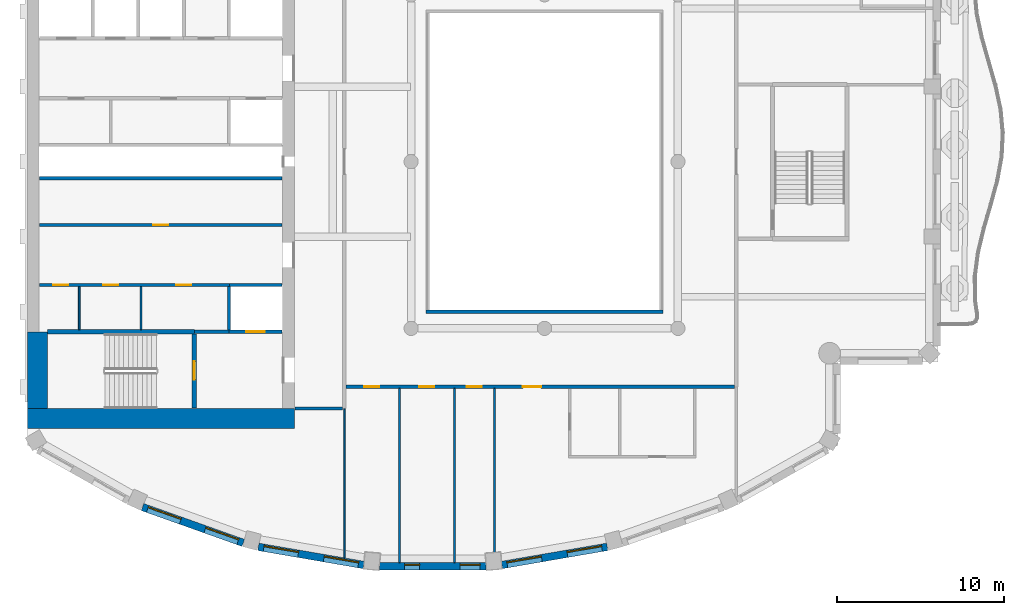
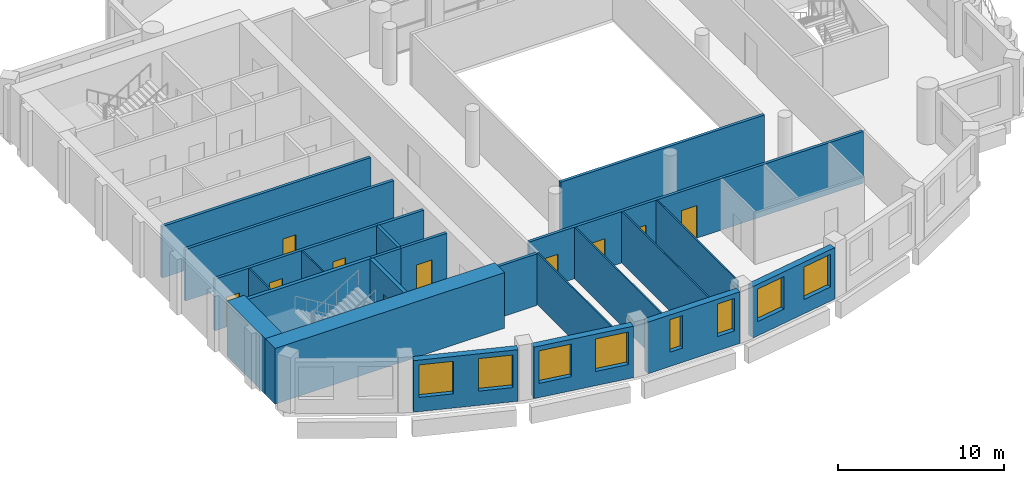
# One storey, part 4 of 14: 24 walls, 10 doors, 8 windows, 18 openings.
"""IFC4 building model written with IfcOpenShell, lengths in metres."""

from ifc_helpers import new_model, si_unit, direction, frame, frame_2d, origin, place, context, subcontext, project, spatial, rectangle, extrude, material, layer, layer_set, type_object, element, fill, save


model = new_model("IFC4")

# Units and contexts
model_context = context("Model", 3, precision=1e-05, world=origin(), true_north=direction((0.0, 1.0)))
body_context = subcontext(model_context, "Body", "Model", "MODEL_VIEW")
ifc_project = project(units=[si_unit("LENGTHUNIT", "METRE"), si_unit("AREAUNIT", "SQUARE_METRE"), si_unit("VOLUMEUNIT", "CUBIC_METRE"), si_unit("PLANEANGLEUNIT", "RADIAN"), si_unit("MASSUNIT", "GRAM", prefix="KILO")], contexts=[model_context])

# Site, building, storey
site_placement = place(None, origin())
site = spatial("IfcSite", under=ifc_project, at=site_placement, CompositionType="ELEMENT")
building_placement = place(site_placement, origin())
building = spatial("IfcBuilding", under=site, at=building_placement, Name="Cypress Arch Tower", CompositionType="ELEMENT")
storey_placement = place(building_placement, frame((0.0, 0.0, 255.699951171875)))
storey = spatial("IfcBuildingStorey", under=building, at=storey_placement, Name="L57", CompositionType="ELEMENT", Elevation=255.699951171875)

# Wall, openings, windows
ifc_material_1 = material(Name="Brick (red buff blend)", Category="masonry")
ifc_layer_1 = layer(ifc_material_1, 0.449951171875)
ifc_layer_set_1 = layer_set([ifc_layer_1], Name="Brick pier and spandrel wall BW450")
wall_type_1 = type_object("IfcWallType", Name="Brick pier and spandrel wall BW450", PredefinedType="SOLIDWALL", material=ifc_layer_set_1)
wall_1_placement = place(storey_placement, frame((-23.10498046875, -20.70947265625, 0.0), z_axis=(0.0, 0.0, 1.0), x_axis=(0.942104058931, -0.335320655711, 0.0)))
wall_1 = element("IfcWall", 1, at=wall_1_placement, inside=storey, type_object=wall_type_1, Name="Brick wall L57 C09.0", PredefinedType="SOLIDWALL", context=body_context, shape_type="SweptSolid", body=[
    extrude(rectangle(XDim=6.411376953125, YDim=0.449951171875, at=frame_2d((3.20556640625, 0.0))), origin(), (0.0, 0.0, 1.0), 3.800048828125),
])
opening_1_placement = place(wall_1_placement, frame((0.3271484375, 0.0, 1.050048828125)))
opening_1 = element("IfcOpeningElement", 2, at=opening_1_placement, cuts=wall_1, Name="Opening W210O", PredefinedType="OPENING", context=body_context, shape_type="SweptSolid", body=[
    extrude(rectangle(XDim=2.10009765625, YDim=2.39990234375, at=frame_2d((1.050048828125, 1.199951171875))), frame((0.0, 0.23486328125, 0.0), z_axis=(0.0, -1.0, 0.0), x_axis=(1.0, 0.0, 0.0)), (0.0, 0.0, 1.0), 0.469970703125),
])
opening_2_placement = place(wall_1_placement, frame((3.984619140625, 0.0, 1.050048828125)))
opening_2 = element("IfcOpeningElement", 3, at=opening_2_placement, cuts=wall_1, Name="Opening W210O", PredefinedType="OPENING", context=body_context, shape_type="SweptSolid", body=[
    extrude(rectangle(XDim=2.10009765625, YDim=2.39990234375, at=frame_2d((1.050048828125, 1.199951171875))), frame((0.0, 0.23486328125, 0.0), z_axis=(0.0, -1.0, 0.0), x_axis=(1.0, 0.0, 0.0)), (0.0, 0.0, 1.0), 0.469970703125),
])
ifc_material_2 = material(Name="Anodised aluminium, bronze finish, clear low-emissivity double glazing", Category="aluminium")
window_type_1 = type_object("IfcWindowType", Name="Window Office 2100x2400", PartitioningType="SINGLE_PANEL", PredefinedType="WINDOW", material=ifc_material_2)
window_1_placement = place(opening_1_placement, origin())
window_1 = element("IfcWindow", 4, at=window_1_placement, inside=storey, type_object=window_type_1, Name="Window L57 C09.0.1", OverallHeight=2.39990234375, OverallWidth=2.10009765625, PartitioningType="SINGLE_PANEL", PredefinedType="WINDOW", context=body_context, shape_type="SweptSolid", body=[
    extrude(rectangle(XDim=2.10009765625, YDim=2.39990234375, at=frame_2d((1.050048828125, 1.199951171875))), frame((0.0, 0.135009765625, 0.0), z_axis=(0.0, -1.0, 0.0), x_axis=(1.0, 0.0, 0.0)), (0.0, 0.0, 1.0), 0.06005859375),
])
fill(opening_1, window_1)
window_2_placement = place(opening_2_placement, origin())
window_2 = element("IfcWindow", 5, at=window_2_placement, inside=storey, type_object=window_type_1, Name="Window L57 C09.0.2", OverallHeight=2.39990234375, OverallWidth=2.10009765625, PartitioningType="SINGLE_PANEL", PredefinedType="WINDOW", context=body_context, shape_type="SweptSolid", body=[
    extrude(rectangle(XDim=2.10009765625, YDim=2.39990234375, at=frame_2d((1.050048828125, 1.199951171875))), frame((0.0, 0.135009765625, 0.0), z_axis=(0.0, -1.0, 0.0), x_axis=(1.0, 0.0, 0.0)), (0.0, 0.0, 1.0), 0.06005859375),
])
fill(opening_2, window_2)

wall_2_placement = place(storey_placement, frame((-16.15673828125, -23.09716796875, 0.0), z_axis=(0.0, 0.0, 1.0), x_axis=(0.985502073964, -0.169663379113, 0.0)))
wall_2 = element("IfcWall", 6, at=wall_2_placement, inside=storey, type_object=wall_type_1, Name="Brick wall L57 C10.0", PredefinedType="SOLIDWALL", context=body_context, shape_type="SweptSolid", body=[
    extrude(rectangle(XDim=6.412109375, YDim=0.449951171875, at=frame_2d((3.2060546875, 0.0))), origin(), (0.0, 0.0, 1.0), 3.800048828125),
])
opening_3_placement = place(wall_2_placement, frame((0.3271484375, 0.0, 1.050048828125)))
opening_3 = element("IfcOpeningElement", 7, at=opening_3_placement, cuts=wall_2, Name="Opening W210O", PredefinedType="OPENING", context=body_context, shape_type="SweptSolid", body=[
    extrude(rectangle(XDim=2.10009765625, YDim=2.39990234375, at=frame_2d((1.050048828125, 1.199951171875))), frame((0.0, 0.23486328125, 0.0), z_axis=(0.0, -1.0, 0.0), x_axis=(1.0, 0.0, 0.0)), (0.0, 0.0, 1.0), 0.469970703125),
])
opening_4_placement = place(wall_2_placement, frame((3.98486328125, 0.0, 1.050048828125)))
opening_4 = element("IfcOpeningElement", 8, at=opening_4_placement, cuts=wall_2, Name="Opening W210O", PredefinedType="OPENING", context=body_context, shape_type="SweptSolid", body=[
    extrude(rectangle(XDim=2.10009765625, YDim=2.39990234375, at=frame_2d((1.050048828125, 1.199951171875))), frame((0.0, 0.23486328125, 0.0), z_axis=(0.0, -1.0, 0.0), x_axis=(1.0, 0.0, 0.0)), (0.0, 0.0, 1.0), 0.469970703125),
])
window_3_placement = place(opening_3_placement, origin())
window_3 = element("IfcWindow", 9, at=window_3_placement, inside=storey, type_object=window_type_1, Name="Window L57 C10.0.1", OverallHeight=2.39990234375, OverallWidth=2.10009765625, PartitioningType="SINGLE_PANEL", PredefinedType="WINDOW", context=body_context, shape_type="SweptSolid", body=[
    extrude(rectangle(XDim=2.10009765625, YDim=2.39990234375, at=frame_2d((1.050048828125, 1.199951171875))), frame((0.0, 0.135009765625, 0.0), z_axis=(0.0, -1.0, 0.0), x_axis=(1.0, 0.0, 0.0)), (0.0, 0.0, 1.0), 0.06005859375),
])
fill(opening_3, window_3)
window_4_placement = place(opening_4_placement, origin())
window_4 = element("IfcWindow", 10, at=window_4_placement, inside=storey, type_object=window_type_1, Name="Window L57 C10.0.2", OverallHeight=2.39990234375, OverallWidth=2.10009765625, PartitioningType="SINGLE_PANEL", PredefinedType="WINDOW", context=body_context, shape_type="SweptSolid", body=[
    extrude(rectangle(XDim=2.10009765625, YDim=2.39990234375, at=frame_2d((1.050048828125, 1.199951171875))), frame((0.0, 0.135009765625, 0.0), z_axis=(0.0, -1.0, 0.0), x_axis=(1.0, 0.0, 0.0)), (0.0, 0.0, 1.0), 0.06005859375),
])
fill(opening_4, window_4)

wall_3_placement = place(storey_placement, frame((-8.90283203125, -24.264892578125, 0.0), z_axis=(0.0, 0.0, 1.0), x_axis=(1.0, 0.0, 0.0)))
wall_3 = element("IfcWall", 11, at=wall_3_placement, inside=storey, type_object=wall_type_1, Name="Brick wall L57 C11.0", PredefinedType="SOLIDWALL", context=body_context, shape_type="SweptSolid", body=[
    extrude(rectangle(XDim=6.405517578125, YDim=0.449951171875, at=frame_2d((3.20263671875, 0.0))), origin(), (0.0, 0.0, 1.0), 3.800048828125),
])
opening_5_placement = place(wall_3_placement, frame((1.51416015625, 0.0, 1.050048828125)))
opening_5 = element("IfcOpeningElement", 12, at=opening_5_placement, cuts=wall_3, Name="Opening W090O", PredefinedType="OPENING", context=body_context, shape_type="SweptSolid", body=[
    extrude(rectangle(XDim=0.89990234375, YDim=2.39990234375, at=frame_2d((0.449951171875, 1.199951171875))), frame((0.0, 0.23486328125, 0.0), z_axis=(0.0, -1.0, 0.0), x_axis=(1.0, 0.0, 0.0)), (0.0, 0.0, 1.0), 0.469970703125),
])
opening_6_placement = place(wall_3_placement, frame((4.84130859375, 0.0, 1.050048828125)))
opening_6 = element("IfcOpeningElement", 13, at=opening_6_placement, cuts=wall_3, Name="Opening W120O", PredefinedType="OPENING", context=body_context, shape_type="SweptSolid", body=[
    extrude(rectangle(XDim=1.199951171875, YDim=2.39990234375, at=frame_2d((0.60009765625, 1.199951171875))), frame((0.0, 0.23486328125, 0.0), z_axis=(0.0, -1.0, 0.0), x_axis=(1.0, 0.0, 0.0)), (0.0, 0.0, 1.0), 0.469970703125),
])
ifc_material_3 = material(Name="Anodised aluminium, bronze finish, clear low-emissivity double glazing", Category="aluminium")
window_type_2 = type_object("IfcWindowType", Name="Window Office 1200x2400", PartitioningType="SINGLE_PANEL", PredefinedType="WINDOW", material=ifc_material_3)
window_5_placement = place(opening_6_placement, origin())
window_5 = element("IfcWindow", 14, at=window_5_placement, inside=storey, type_object=window_type_2, Name="Window L57 C11.0.2", OverallHeight=2.39990234375, OverallWidth=1.199951171875, PartitioningType="SINGLE_PANEL", PredefinedType="WINDOW", context=body_context, shape_type="SweptSolid", body=[
    extrude(rectangle(XDim=1.199951171875, YDim=2.39990234375, at=frame_2d((0.60009765625, 1.199951171875))), frame((0.0, 0.135009765625, 0.0), z_axis=(0.0, -1.0, 0.0), x_axis=(1.0, 0.0, 0.0)), (0.0, 0.0, 1.0), 0.06005859375),
])
fill(opening_6, window_5)
ifc_material_4 = material(Name="Anodised aluminium, bronze finish, clear low-emissivity double glazing", Category="aluminium")
window_type_3 = type_object("IfcWindowType", Name="Window Office 900x2400", PartitioningType="SINGLE_PANEL", PredefinedType="WINDOW", material=ifc_material_4)
window_6_placement = place(opening_5_placement, origin())
window_6 = element("IfcWindow", 15, at=window_6_placement, inside=storey, type_object=window_type_3, Name="Window L57 C11.0.1", OverallHeight=2.39990234375, OverallWidth=0.89990234375, PartitioningType="SINGLE_PANEL", PredefinedType="WINDOW", context=body_context, shape_type="SweptSolid", body=[
    extrude(rectangle(XDim=0.89990234375, YDim=2.39990234375, at=frame_2d((0.449951171875, 1.199951171875))), frame((0.0, 0.135009765625, 0.0), z_axis=(0.0, -1.0, 0.0), x_axis=(1.0, 0.0, 0.0)), (0.0, 0.0, 1.0), 0.06005859375),
])
fill(opening_5, window_6)

wall_4_placement = place(storey_placement, frame((-1.562255859375, -24.18505859375, 0.0), z_axis=(0.0, 0.0, 1.0), x_axis=(0.985502073964, 0.169663379113, 0.0)))
wall_4 = element("IfcWall", 16, at=wall_4_placement, inside=storey, type_object=wall_type_1, Name="Brick wall L57 C12.0", PredefinedType="SOLIDWALL", context=body_context, shape_type="SweptSolid", body=[
    extrude(rectangle(XDim=6.412109375, YDim=0.449951171875, at=frame_2d((3.2060546875, 0.0))), origin(), (0.0, 0.0, 1.0), 3.800048828125),
])
opening_7_placement = place(wall_4_placement, frame((0.3271484375, 0.0, 1.050048828125)))
opening_7 = element("IfcOpeningElement", 17, at=opening_7_placement, cuts=wall_4, Name="Opening W210O", PredefinedType="OPENING", context=body_context, shape_type="SweptSolid", body=[
    extrude(rectangle(XDim=2.10009765625, YDim=2.39990234375, at=frame_2d((1.050048828125, 1.199951171875))), frame((0.0, 0.23486328125, 0.0), z_axis=(0.0, -1.0, 0.0), x_axis=(1.0, 0.0, 0.0)), (0.0, 0.0, 1.0), 0.469970703125),
])
opening_8_placement = place(wall_4_placement, frame((3.98486328125, 0.0, 1.050048828125)))
opening_8 = element("IfcOpeningElement", 18, at=opening_8_placement, cuts=wall_4, Name="Opening W210O", PredefinedType="OPENING", context=body_context, shape_type="SweptSolid", body=[
    extrude(rectangle(XDim=2.10009765625, YDim=2.39990234375, at=frame_2d((1.050048828125, 1.199951171875))), frame((0.0, 0.23486328125, 0.0), z_axis=(0.0, -1.0, 0.0), x_axis=(1.0, 0.0, 0.0)), (0.0, 0.0, 1.0), 0.469970703125),
])
window_7_placement = place(opening_7_placement, origin())
window_7 = element("IfcWindow", 19, at=window_7_placement, inside=storey, type_object=window_type_1, Name="Window L57 C12.0.1", OverallHeight=2.39990234375, OverallWidth=2.10009765625, PartitioningType="SINGLE_PANEL", PredefinedType="WINDOW", context=body_context, shape_type="SweptSolid", body=[
    extrude(rectangle(XDim=2.10009765625, YDim=2.39990234375, at=frame_2d((1.050048828125, 1.199951171875))), frame((0.0, 0.135009765625, 0.0), z_axis=(0.0, -1.0, 0.0), x_axis=(1.0, 0.0, 0.0)), (0.0, 0.0, 1.0), 0.06005859375),
])
fill(opening_7, window_7)
window_8_placement = place(opening_8_placement, origin())
window_8 = element("IfcWindow", 20, at=window_8_placement, inside=storey, type_object=window_type_1, Name="Window L57 C12.0.2", OverallHeight=2.39990234375, OverallWidth=2.10009765625, PartitioningType="SINGLE_PANEL", PredefinedType="WINDOW", context=body_context, shape_type="SweptSolid", body=[
    extrude(rectangle(XDim=2.10009765625, YDim=2.39990234375, at=frame_2d((1.050048828125, 1.199951171875))), frame((0.0, 0.135009765625, 0.0), z_axis=(0.0, -1.0, 0.0), x_axis=(1.0, 0.0, 0.0)), (0.0, 0.0, 1.0), 0.06005859375),
])
fill(opening_8, window_8)

# Walls
ifc_material_5 = material(Name="Concrete C60/75", Category="concrete")
ifc_layer_2 = layer(ifc_material_5, 1.199951171875)
ifc_layer_set_2 = layer_set([ifc_layer_2], Name="Core wall CW1200 C60/75")
wall_type_2 = type_object("IfcWallType", Name="Core wall CW1200 C60/75", PredefinedType="SHEAR", material=ifc_layer_set_2)
wall_5_placement = place(storey_placement, frame((-30.0, -15.39990234375, 0.0), z_axis=(0.0, 0.0, 1.0), x_axis=(1.0, 0.0, 0.0)))
element("IfcWall", 21, at=wall_5_placement, inside=storey, type_object=wall_type_2, Name="Core wall", PredefinedType="SHEAR", context=body_context, shape_type="SweptSolid", body=[
    extrude(rectangle(XDim=16.0, YDim=1.199951171875, at=frame_2d((8.0, 0.0))), origin(), (0.0, 0.0, 1.0), 4.10009765625),
])
wall_6_placement = place(storey_placement, frame((-29.39990234375, -14.800048828125, 0.0), z_axis=(0.0, 0.0, 1.0), x_axis=(0.0, 1.0, 0.0)))
element("IfcWall", 22, at=wall_6_placement, inside=storey, type_object=wall_type_2, Name="Core wall", PredefinedType="SHEAR", context=body_context, shape_type="SweptSolid", body=[
    extrude(rectangle(XDim=4.60009765625, YDim=1.199951171875, at=frame_2d((2.300048828125, 0.0))), origin(), (0.0, 0.0, 1.0), 4.10009765625),
])

# Wall, openings, doors
ifc_material_6 = material(Name="Concrete blockwork, plastered, rated", Category="masonry")
ifc_layer_3 = layer(ifc_material_6, 0.199951171875)
ifc_layer_set_3 = layer_set([ifc_layer_3], Name="Corridor wall FW200")
wall_type_3 = type_object("IfcWallType", Name="Corridor wall FW200", PredefinedType="PARTITIONING", material=ifc_layer_set_3)
wall_7_placement = place(storey_placement, frame((-29.27001953125, -7.39990234375, 0.0), z_axis=(0.0, 0.0, 1.0), x_axis=(1.0, 0.0, 0.0)))
wall_7 = element("IfcWall", 23, at=wall_7_placement, inside=storey, type_object=wall_type_3, Name="Corridor wall", PredefinedType="PARTITIONING", context=body_context, shape_type="SweptSolid", body=[
    extrude(rectangle(XDim=11.3701171875, YDim=0.199951171875, at=frame_2d((5.68505859375, 0.0))), origin(), (0.0, 0.0, 1.0), 3.800048828125),
])
opening_9_placement = place(wall_7_placement, frame((0.800048828125, 0.0, 0.0)))
opening_9 = element("IfcOpeningElement", 24, at=opening_9_placement, cuts=wall_7, Name="Opening D05", PredefinedType="OPENING", context=body_context, shape_type="SweptSolid", body=[
    extrude(rectangle(XDim=0.89990234375, YDim=2.199951171875, at=frame_2d((0.449951171875, 1.10009765625))), frame((0.0, 0.10986328125, 0.0), z_axis=(0.0, -1.0, 0.0), x_axis=(1.0, 0.0, 0.0)), (0.0, 0.0, 1.0), 0.219970703125),
])
opening_10_placement = place(wall_7_placement, frame((3.800048828125, 0.0, 0.0)))
opening_10 = element("IfcOpeningElement", 25, at=opening_10_placement, cuts=wall_7, Name="Opening D05", PredefinedType="OPENING", context=body_context, shape_type="SweptSolid", body=[
    extrude(rectangle(XDim=0.89990234375, YDim=2.199951171875, at=frame_2d((0.449951171875, 1.10009765625))), frame((0.0, 0.10986328125, 0.0), z_axis=(0.0, -1.0, 0.0), x_axis=(1.0, 0.0, 0.0)), (0.0, 0.0, 1.0), 0.219970703125),
])
opening_11_placement = place(wall_7_placement, frame((8.199951171875, 0.0, 0.0)))
opening_11 = element("IfcOpeningElement", 26, at=opening_11_placement, cuts=wall_7, Name="Opening D05", PredefinedType="OPENING", context=body_context, shape_type="SweptSolid", body=[
    extrude(rectangle(XDim=0.89990234375, YDim=2.199951171875, at=frame_2d((0.449951171875, 1.10009765625))), frame((0.0, 0.10986328125, 0.0), z_axis=(0.0, -1.0, 0.0), x_axis=(1.0, 0.0, 0.0)), (0.0, 0.0, 1.0), 0.219970703125),
])
ifc_material_7 = material(Name="Timber flush door", Category="wood")
door_type_1 = type_object("IfcDoorType", Name="Service door D05 900x2200", OperationType="SINGLE_SWING_LEFT", PredefinedType="DOOR", material=ifc_material_7)
door_1_placement = place(opening_9_placement, origin())
door_1 = element("IfcDoor", 27, at=door_1_placement, inside=storey, type_object=door_type_1, Name="Service door", OperationType="SINGLE_SWING_LEFT", OverallHeight=2.199951171875, OverallWidth=0.89990234375, PredefinedType="DOOR", context=body_context, shape_type="SweptSolid", body=[
    extrude(rectangle(XDim=0.89990234375, YDim=2.199951171875, at=frame_2d((0.449951171875, 1.10009765625))), frame((0.0, 0.02490234375, 0.0), z_axis=(0.0, -1.0, 0.0), x_axis=(1.0, 0.0, 0.0)), (0.0, 0.0, 1.0), 0.050048828125),
])
fill(opening_9, door_1)
door_2_placement = place(opening_10_placement, origin())
door_2 = element("IfcDoor", 28, at=door_2_placement, inside=storey, type_object=door_type_1, Name="Service door", OperationType="SINGLE_SWING_LEFT", OverallHeight=2.199951171875, OverallWidth=0.89990234375, PredefinedType="DOOR", context=body_context, shape_type="SweptSolid", body=[
    extrude(rectangle(XDim=0.89990234375, YDim=2.199951171875, at=frame_2d((0.449951171875, 1.10009765625))), frame((0.0, 0.02490234375, 0.0), z_axis=(0.0, -1.0, 0.0), x_axis=(1.0, 0.0, 0.0)), (0.0, 0.0, 1.0), 0.050048828125),
])
fill(opening_10, door_2)
door_3_placement = place(opening_11_placement, origin())
door_3 = element("IfcDoor", 29, at=door_3_placement, inside=storey, type_object=door_type_1, Name="Service door", OperationType="SINGLE_SWING_RIGHT", OverallHeight=2.199951171875, OverallWidth=0.89990234375, PredefinedType="DOOR", context=body_context, shape_type="SweptSolid", body=[
    extrude(rectangle(XDim=0.89990234375, YDim=2.199951171875, at=frame_2d((0.449951171875, 1.10009765625))), frame((0.0, 0.02490234375, 0.0), z_axis=(0.0, -1.0, 0.0), x_axis=(1.0, 0.0, 0.0)), (0.0, 0.0, 1.0), 0.050048828125),
])
fill(opening_11, door_3)

# Wall, opening, door
wall_8_placement = place(storey_placement, frame((-29.27001953125, -3.800048828125, 0.0), z_axis=(0.0, 0.0, 1.0), x_axis=(1.0, 0.0, 0.0)))
wall_8 = element("IfcWall", 30, at=wall_8_placement, inside=storey, type_object=wall_type_3, Name="Corridor wall", PredefinedType="PARTITIONING", context=body_context, shape_type="SweptSolid", body=[
    extrude(rectangle(XDim=14.5400390625, YDim=0.199951171875, at=frame_2d((7.27001953125, 0.0))), origin(), (0.0, 0.0, 1.0), 3.800048828125),
])
opening_12_placement = place(wall_8_placement, frame((6.800048828125, 0.0, 0.0)))
opening_12 = element("IfcOpeningElement", 31, at=opening_12_placement, cuts=wall_8, Name="Opening D05", PredefinedType="OPENING", context=body_context, shape_type="SweptSolid", body=[
    extrude(rectangle(XDim=0.89990234375, YDim=2.199951171875, at=frame_2d((0.449951171875, 1.10009765625))), frame((0.0, 0.10986328125, 0.0), z_axis=(0.0, -1.0, 0.0), x_axis=(1.0, 0.0, 0.0)), (0.0, 0.0, 1.0), 0.219970703125),
])
door_4_placement = place(opening_12_placement, origin())
door_4 = element("IfcDoor", 32, at=door_4_placement, inside=storey, type_object=door_type_1, Name="Service door", OperationType="SINGLE_SWING_LEFT", OverallHeight=2.199951171875, OverallWidth=0.89990234375, PredefinedType="DOOR", context=body_context, shape_type="SweptSolid", body=[
    extrude(rectangle(XDim=0.89990234375, YDim=2.199951171875, at=frame_2d((0.449951171875, 1.10009765625))), frame((0.0, 0.02490234375, 0.0), z_axis=(0.0, -1.0, 0.0), x_axis=(1.0, 0.0, 0.0)), (0.0, 0.0, 1.0), 0.050048828125),
])
fill(opening_12, door_4)

# Walls
wall_9_placement = place(storey_placement, frame((-20.0, -10.199951171875, 0.0), z_axis=(0.0, 0.0, 1.0), x_axis=(1.0, 0.0, 0.0)))
element("IfcWall", 33, at=wall_9_placement, inside=storey, type_object=wall_type_3, Name="Corridor wall", PredefinedType="PARTITIONING", context=body_context, shape_type="SweptSolid", body=[
    extrude(rectangle(XDim=2.080078125, YDim=0.199951171875, at=frame_2d((1.0400390625, 0.0))), origin(), (0.0, 0.0, 1.0), 3.800048828125),
])
wall_10_placement = place(storey_placement, frame((-13.969970703125, -14.800048828125, 0.0), z_axis=(0.0, 0.0, 1.0), x_axis=(1.0, 0.0, 0.0)))
element("IfcWall", 34, at=wall_10_placement, inside=storey, type_object=wall_type_3, Name="Corridor wall", PredefinedType="PARTITIONING", context=body_context, shape_type="SweptSolid", body=[
    extrude(rectangle(XDim=2.869873046875, YDim=0.199951171875, at=frame_2d((1.43505859375, 0.0))), origin(), (0.0, 0.0, 1.0), 3.800048828125),
])

# Wall, openings, doors
wall_11_placement = place(storey_placement, frame((-10.89990234375, -13.5, 0.0), z_axis=(0.0, 0.0, 1.0), x_axis=(1.0, 0.0, 0.0)))
wall_11 = element("IfcWall", 35, at=wall_11_placement, inside=storey, type_object=wall_type_3, Name="Corridor wall", PredefinedType="PARTITIONING", context=body_context, shape_type="SweptSolid", body=[
    extrude(rectangle(XDim=23.2998046875, YDim=0.199951171875, at=frame_2d((11.64990234375, 0.0))), origin(), (0.0, 0.0, 1.0), 3.800048828125),
])
opening_13_placement = place(wall_11_placement, frame((1.10009765625, 0.0, 0.0)))
opening_13 = element("IfcOpeningElement", 36, at=opening_13_placement, cuts=wall_11, Name="Opening D03", PredefinedType="OPENING", context=body_context, shape_type="SweptSolid", body=[
    extrude(rectangle(XDim=0.89990234375, YDim=2.199951171875, at=frame_2d((0.449951171875, 1.10009765625))), frame((0.0, 0.10986328125, 0.0), z_axis=(0.0, -1.0, 0.0), x_axis=(1.0, 0.0, 0.0)), (0.0, 0.0, 1.0), 0.219970703125),
])
opening_14_placement = place(wall_11_placement, frame((4.39990234375, 0.0, 0.0)))
opening_14 = element("IfcOpeningElement", 37, at=opening_14_placement, cuts=wall_11, Name="Opening D03", PredefinedType="OPENING", context=body_context, shape_type="SweptSolid", body=[
    extrude(rectangle(XDim=0.89990234375, YDim=2.199951171875, at=frame_2d((0.449951171875, 1.10009765625))), frame((0.0, 0.10986328125, 0.0), z_axis=(0.0, -1.0, 0.0), x_axis=(1.0, 0.0, 0.0)), (0.0, 0.0, 1.0), 0.219970703125),
])
opening_15_placement = place(wall_11_placement, frame((7.25, 0.0, 0.0)))
opening_15 = element("IfcOpeningElement", 38, at=opening_15_placement, cuts=wall_11, Name="Opening D03", PredefinedType="OPENING", context=body_context, shape_type="SweptSolid", body=[
    extrude(rectangle(XDim=0.89990234375, YDim=2.199951171875, at=frame_2d((0.449951171875, 1.10009765625))), frame((0.0, 0.10986328125, 0.0), z_axis=(0.0, -1.0, 0.0), x_axis=(1.0, 0.0, 0.0)), (0.0, 0.0, 1.0), 0.219970703125),
])
opening_16_placement = place(wall_11_placement, frame((10.60009765625, 0.0, 0.0)))
opening_16 = element("IfcOpeningElement", 39, at=opening_16_placement, cuts=wall_11, Name="Opening D01", PredefinedType="OPENING", context=body_context, shape_type="SweptSolid", body=[
    extrude(rectangle(XDim=1.10009765625, YDim=2.39990234375, at=frame_2d((0.550048828125, 1.199951171875))), frame((0.0, 0.10986328125, 0.0), z_axis=(0.0, -1.0, 0.0), x_axis=(1.0, 0.0, 0.0)), (0.0, 0.0, 1.0), 0.219970703125),
])
ifc_material_8 = material(Name="Timber flush door, moisture resistant", Category="wood")
door_type_2 = type_object("IfcDoorType", Name="Bathroom door D03 900x2200", OperationType="SINGLE_SWING_LEFT", PredefinedType="DOOR", material=ifc_material_8)
door_5_placement = place(opening_13_placement, origin())
door_5 = element("IfcDoor", 40, at=door_5_placement, inside=storey, type_object=door_type_2, Name="Bathroom door", OperationType="SINGLE_SWING_RIGHT", OverallHeight=2.199951171875, OverallWidth=0.89990234375, PredefinedType="DOOR", context=body_context, shape_type="SweptSolid", body=[
    extrude(rectangle(XDim=0.89990234375, YDim=2.199951171875, at=frame_2d((0.449951171875, 1.10009765625))), frame((0.0, 0.02490234375, 0.0), z_axis=(0.0, -1.0, 0.0), x_axis=(1.0, 0.0, 0.0)), (0.0, 0.0, 1.0), 0.050048828125),
])
fill(opening_13, door_5)
door_6_placement = place(opening_14_placement, origin())
door_6 = element("IfcDoor", 41, at=door_6_placement, inside=storey, type_object=door_type_2, Name="Bathroom door", OperationType="SINGLE_SWING_RIGHT", OverallHeight=2.199951171875, OverallWidth=0.89990234375, PredefinedType="DOOR", context=body_context, shape_type="SweptSolid", body=[
    extrude(rectangle(XDim=0.89990234375, YDim=2.199951171875, at=frame_2d((0.449951171875, 1.10009765625))), frame((0.0, 0.02490234375, 0.0), z_axis=(0.0, -1.0, 0.0), x_axis=(1.0, 0.0, 0.0)), (0.0, 0.0, 1.0), 0.050048828125),
])
fill(opening_14, door_6)
door_7_placement = place(opening_15_placement, origin())
door_7 = element("IfcDoor", 42, at=door_7_placement, inside=storey, type_object=door_type_2, Name="Bathroom door", OperationType="SINGLE_SWING_RIGHT", OverallHeight=2.199951171875, OverallWidth=0.89990234375, PredefinedType="DOOR", context=body_context, shape_type="SweptSolid", body=[
    extrude(rectangle(XDim=0.89990234375, YDim=2.199951171875, at=frame_2d((0.449951171875, 1.10009765625))), frame((0.0, 0.02490234375, 0.0), z_axis=(0.0, -1.0, 0.0), x_axis=(1.0, 0.0, 0.0)), (0.0, 0.0, 1.0), 0.050048828125),
])
fill(opening_15, door_7)
ifc_material_9 = material(Name="Timber flush door, fire resisting, self-closing", Category="wood")
door_type_3 = type_object("IfcDoorType", Name="Unit entrance door D01 1100x2400", OperationType="SINGLE_SWING_LEFT", PredefinedType="DOOR", material=ifc_material_9)
door_8_placement = place(opening_16_placement, origin())
door_8 = element("IfcDoor", 43, at=door_8_placement, inside=storey, type_object=door_type_3, Name="Unit entrance door", OperationType="SINGLE_SWING_LEFT", OverallHeight=2.39990234375, OverallWidth=1.10009765625, PredefinedType="DOOR", context=body_context, shape_type="SweptSolid", body=[
    extrude(rectangle(XDim=1.10009765625, YDim=2.39990234375, at=frame_2d((0.550048828125, 1.199951171875))), frame((0.0, 0.02490234375, 0.0), z_axis=(0.0, -1.0, 0.0), x_axis=(1.0, 0.0, 0.0)), (0.0, 0.0, 1.0), 0.050048828125),
])
fill(opening_16, door_8)

# Walls
wall_12_placement = place(storey_placement, frame((-6.10009765625, -9.0, 0.0), z_axis=(0.0, 0.0, 1.0), x_axis=(1.0, 0.0, 0.0)))
element("IfcWall", 44, at=wall_12_placement, inside=storey, type_object=wall_type_3, Name="Corridor wall", PredefinedType="PARTITIONING", context=body_context, shape_type="SweptSolid", body=[
    extrude(rectangle(XDim=14.2001953125, YDim=0.199951171875, at=frame_2d((7.10009765625, 0.0))), origin(), (0.0, 0.0, 1.0), 3.800048828125),
])
ifc_material_10 = material(Name="Reinforced blockwork, plastered, rated", Category="masonry")
ifc_layer_4 = layer(ifc_material_10, 0.199951171875)
ifc_layer_set_4 = layer_set([ifc_layer_4], Name="Plant and riser wall PL200")
wall_type_4 = type_object("IfcWallType", Name="Plant and riser wall PL200", PredefinedType="PARTITIONING", material=ifc_layer_set_4)
wall_13_placement = place(storey_placement, frame((-29.27001953125, -1.0, 0.0), z_axis=(0.0, 0.0, 1.0), x_axis=(1.0, 0.0, 0.0)))
element("IfcWall", 45, at=wall_13_placement, inside=storey, type_object=wall_type_4, Name="Plant and riser wall", PredefinedType="PARTITIONING", context=body_context, shape_type="SweptSolid", body=[
    extrude(rectangle(XDim=14.5400390625, YDim=0.199951171875, at=frame_2d((7.27001953125, 0.0))), origin(), (0.0, 0.0, 1.0), 3.800048828125),
])
ifc_material_11 = material(Name="Concrete C50/60", Category="concrete")
ifc_layer_5 = layer(ifc_material_11, 0.199951171875)
ifc_layer_set_5 = layer_set([ifc_layer_5], Name="Shaft wall SH200")
wall_type_5 = type_object("IfcWallType", Name="Shaft wall SH200", PredefinedType="SHEAR", material=ifc_layer_set_5)
wall_14_placement = place(storey_placement, frame((-17.919921875, -10.10009765625, 0.0), z_axis=(0.0, 0.0, 1.0), x_axis=(0.0, 1.0, 0.0)))
element("IfcWall", 46, at=wall_14_placement, inside=storey, type_object=wall_type_5, Name="Shaft wall", PredefinedType="SHEAR", context=body_context, shape_type="SweptSolid", body=[
    extrude(rectangle(XDim=2.60009765625, YDim=0.199951171875, at=frame_2d((1.300048828125, 0.0))), origin(), (0.0, 0.0, 1.0), 3.800048828125),
])

# Wall, opening, door
wall_15_placement = place(storey_placement, frame((-17.919921875, -10.199951171875, 0.0), z_axis=(0.0, 0.0, 1.0), x_axis=(1.0, 0.0, 0.0)))
wall_15 = element("IfcWall", 47, at=wall_15_placement, inside=storey, type_object=wall_type_5, Name="Shaft wall", PredefinedType="SHEAR", context=body_context, shape_type="SweptSolid", body=[
    extrude(rectangle(XDim=3.18994140625, YDim=0.199951171875, at=frame_2d((1.594970703125, 0.0))), origin(), (0.0, 0.0, 1.0), 3.800048828125),
])
opening_17_placement = place(wall_15_placement, frame((1.050048828125, 0.0, 0.0)))
opening_17 = element("IfcOpeningElement", 48, at=opening_17_placement, cuts=wall_15, Name="Opening LD-FL1", PredefinedType="OPENING", context=body_context, shape_type="SweptSolid", body=[
    extrude(rectangle(XDim=1.10009765625, YDim=2.199951171875, at=frame_2d((0.550048828125, 1.10009765625))), frame((0.0, 0.10986328125, 0.0), z_axis=(0.0, -1.0, 0.0), x_axis=(1.0, 0.0, 0.0)), (0.0, 0.0, 1.0), 0.219970703125),
])
ifc_material_12 = material(Name="Stainless steel centre-opening landing door, rated", Category="steel")
door_type_4 = type_object("IfcDoorType", Name="Lift landing door LD 1100x2200", OperationType="DOUBLE_DOOR_SLIDING", PredefinedType="DOOR", material=ifc_material_12)
door_9_placement = place(opening_17_placement, origin())
door_9 = element("IfcDoor", 49, at=door_9_placement, inside=storey, type_object=door_type_4, Name="Lift landing doors FL1", OperationType="DOUBLE_DOOR_SLIDING", OverallHeight=2.199951171875, OverallWidth=1.10009765625, PredefinedType="DOOR", context=body_context, shape_type="SweptSolid", body=[
    extrude(rectangle(XDim=1.10009765625, YDim=2.199951171875, at=frame_2d((0.550048828125, 1.10009765625))), frame((0.0, 0.02490234375, 0.0), z_axis=(0.0, -1.0, 0.0), x_axis=(1.0, 0.0, 0.0)), (0.0, 0.0, 1.0), 0.050048828125),
])
fill(opening_17, door_9)

# Walls
wall_16_placement = place(storey_placement, frame((-17.89990234375, -7.39990234375, 0.0), z_axis=(0.0, 0.0, 1.0), x_axis=(1.0, 0.0, 0.0)))
element("IfcWall", 50, at=wall_16_placement, inside=storey, type_object=wall_type_5, Name="Shaft wall", PredefinedType="SHEAR", context=body_context, shape_type="SweptSolid", body=[
    extrude(rectangle(XDim=3.169921875, YDim=0.199951171875, at=frame_2d((1.5849609375, 0.0))), origin(), (0.0, 0.0, 1.0), 3.800048828125),
])
ifc_material_13 = material(Name="Concrete C50/60", Category="concrete")
ifc_layer_6 = layer(ifc_material_13, 0.25)
ifc_layer_set_6 = layer_set([ifc_layer_6], Name="Stair enclosure wall SW250")
wall_type_6 = type_object("IfcWallType", Name="Stair enclosure wall SW250", PredefinedType="SHEAR", material=ifc_layer_set_6)
wall_17_placement = place(storey_placement, frame((-28.81005859375, -10.199951171875, 0.0), z_axis=(0.0, 0.0, 1.0), x_axis=(1.0, 0.0, 0.0)))
element("IfcWall", 51, at=wall_17_placement, inside=storey, type_object=wall_type_6, Name="Stair enclosure wall", PredefinedType="SHEAR", context=body_context, shape_type="SweptSolid", body=[
    extrude(rectangle(XDim=8.81005859375, YDim=0.25, at=frame_2d((4.405029296875, 0.0))), origin(), (0.0, 0.0, 1.0), 3.800048828125),
])

# Wall, opening, door
wall_18_placement = place(storey_placement, frame((-20.0, -14.77001953125, 0.0), z_axis=(0.0, 0.0, 1.0), x_axis=(0.0, 1.0, 0.0)))
wall_18 = element("IfcWall", 52, at=wall_18_placement, inside=storey, type_object=wall_type_6, Name="Stair enclosure wall", PredefinedType="SHEAR", context=body_context, shape_type="SweptSolid", body=[
    extrude(rectangle(XDim=4.445068359375, YDim=0.25, at=frame_2d((2.22265625, 0.0))), origin(), (0.0, 0.0, 1.0), 3.800048828125),
])
opening_18_placement = place(wall_18_placement, frame((1.699951171875, 0.0, 0.0)))
opening_18 = element("IfcOpeningElement", 53, at=opening_18_placement, cuts=wall_18, Name="Opening D06", PredefinedType="OPENING", context=body_context, shape_type="SweptSolid", body=[
    extrude(rectangle(XDim=1.10009765625, YDim=2.199951171875, at=frame_2d((0.550048828125, 1.10009765625))), frame((0.0, 0.135009765625, 0.0), z_axis=(0.0, -1.0, 0.0), x_axis=(1.0, 0.0, 0.0)), (0.0, 0.0, 1.0), 0.27001953125),
])
ifc_material_14 = material(Name="Steel door, fire resisting, panic bar", Category="steel")
door_type_5 = type_object("IfcDoorType", Name="Stair door D06 1100x2200", OperationType="SINGLE_SWING_LEFT", PredefinedType="DOOR", material=ifc_material_14)
door_10_placement = place(opening_18_placement, origin())
door_10 = element("IfcDoor", 54, at=door_10_placement, inside=storey, type_object=door_type_5, Name="Stair door", OperationType="SINGLE_SWING_RIGHT", OverallHeight=2.199951171875, OverallWidth=1.10009765625, PredefinedType="DOOR", context=body_context, shape_type="SweptSolid", body=[
    extrude(rectangle(XDim=1.10009765625, YDim=2.199951171875, at=frame_2d((0.550048828125, 1.10009765625))), frame((0.0, 0.02490234375, 0.0), z_axis=(0.0, -1.0, 0.0), x_axis=(1.0, 0.0, 0.0)), (0.0, 0.0, 1.0), 0.050048828125),
])
fill(opening_18, door_10)

# Walls
ifc_material_15 = material(Name="Moisture resistant board on steel studs, tiled", Category="steel")
ifc_layer_7 = layer(ifc_material_15, 0.10009765625)
ifc_layer_set_7 = layer_set([ifc_layer_7], Name="Wet wall PW100")
wall_type_7 = type_object("IfcWallType", Name="Wet wall PW100", PredefinedType="PARTITIONING", material=ifc_layer_set_7)
for number, where, z_axis, x_axis, name in (
    (55, (-26.89990234375, -10.074951171875, 0.0), (0.0, 0.0, 1.0), (0.0, 1.0, 0.0), "Wet wall"),
    (56, (-23.199951171875, -10.074951171875, 0.0), (0.0, 0.0, 1.0), (0.0, 1.0, 0.0), "Wet wall"),
):
    element("IfcWall", number, at=place(storey_placement, frame(where, z_axis=z_axis, x_axis=x_axis)), inside=storey, type_object=wall_type_7, Name=name, PredefinedType="PARTITIONING", context=body_context, shape_type="SweptSolid", body=[
        extrude(rectangle(XDim=2.574951171875, YDim=0.10009765625, at=frame_2d((1.28759765625, 0.0))), origin(), (0.0, 0.0, 1.0), 3.800048828125),
    ])
wall_19_placement = place(storey_placement, frame((-11.0, -23.756591796875, 0.0), z_axis=(0.0, 0.0, 1.0), x_axis=(0.0, 1.0, 0.0)))
element("IfcWall", 57, at=wall_19_placement, inside=storey, type_object=wall_type_7, Name="Wet wall", PredefinedType="PARTITIONING", context=body_context, shape_type="SweptSolid", body=[
    extrude(rectangle(XDim=8.9365234375, YDim=0.10009765625, at=frame_2d((4.46826171875, 0.0))), origin(), (0.0, 0.0, 1.0), 3.800048828125),
])
for number, where, z_axis, x_axis, name in (
    (58, (-7.699951171875, -24.0400390625, 0.0), (0.0, 0.0, 1.0), (0.0, 1.0, 0.0), "Wet wall"),
    (59, (-4.39990234375, -24.0400390625, 0.0), (0.0, 0.0, 1.0), (0.0, 1.0, 0.0), "Wet wall"),
):
    element("IfcWall", number, at=place(storey_placement, frame(where, z_axis=z_axis, x_axis=x_axis)), inside=storey, type_object=wall_type_7, Name=name, PredefinedType="PARTITIONING", context=body_context, shape_type="SweptSolid", body=[
        extrude(rectangle(XDim=10.43994140625, YDim=0.10009765625, at=frame_2d((5.219970703125, 0.0))), origin(), (0.0, 0.0, 1.0), 3.800048828125),
    ])
wall_20_placement = place(storey_placement, frame((-2.0, -23.447265625, 0.0), z_axis=(0.0, 0.0, 1.0), x_axis=(0.0, 1.0, 0.0)))
element("IfcWall", 60, at=wall_20_placement, inside=storey, type_object=wall_type_7, Name="Wet wall", PredefinedType="PARTITIONING", context=body_context, shape_type="SweptSolid", body=[
    extrude(rectangle(XDim=9.84716796875, YDim=0.10009765625, at=frame_2d((4.923583984375, 0.0))), origin(), (0.0, 0.0, 1.0), 3.800048828125),
])

save(model, "model.ifc")
